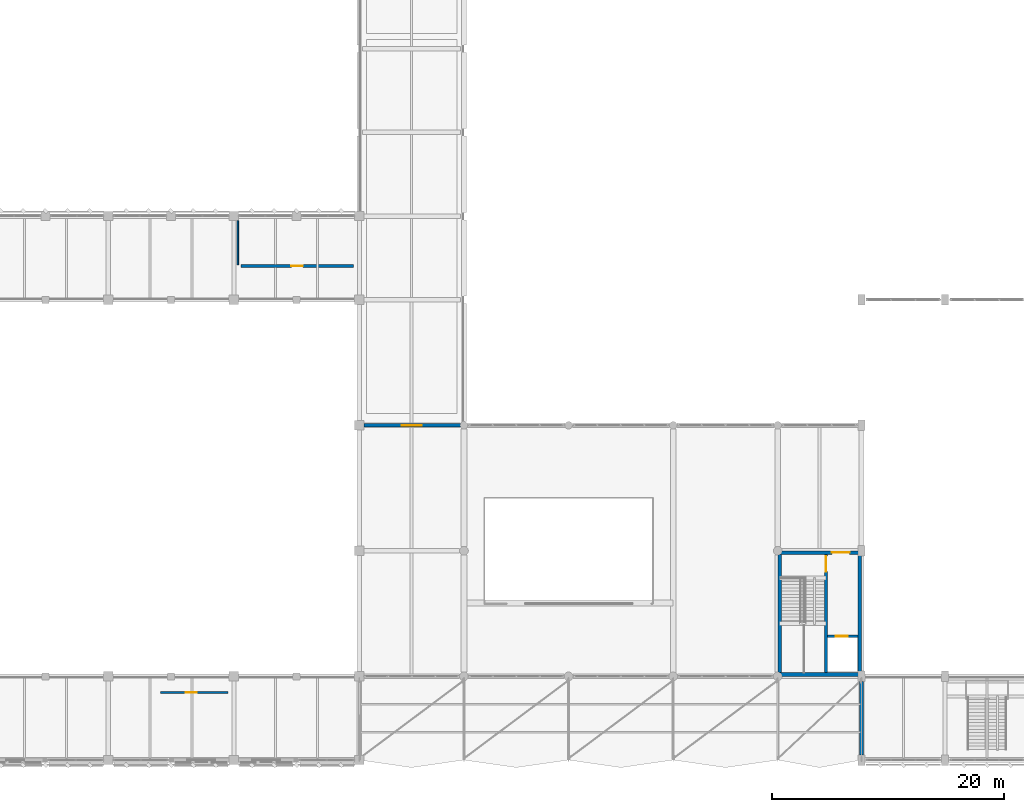
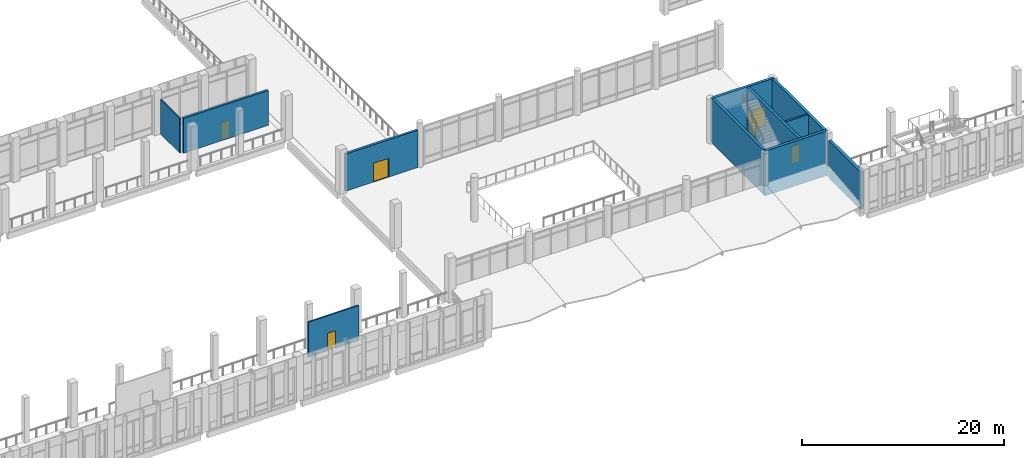
# One storey, part 157 of 180: 11 walls, 6 doors, 6 openings.
"""IFC4 building model written with IfcOpenShell, lengths in metres."""

from ifc_helpers import new_model, si_unit, direction, frame, frame_2d, origin, place, context, subcontext, project, spatial, rectangle, extrude, material, layer, layer_set, type_object, element, fill, save


model = new_model("IFC4")

# Units and contexts
model_context = context("Model", 3, precision=1e-05, world=origin(), true_north=direction((0.0, 1.0)))
body_context = subcontext(model_context, "Body", "Model", "MODEL_VIEW")
ifc_project = project(units=[si_unit("LENGTHUNIT", "METRE"), si_unit("AREAUNIT", "SQUARE_METRE"), si_unit("VOLUMEUNIT", "CUBIC_METRE"), si_unit("PLANEANGLEUNIT", "RADIAN"), si_unit("MASSUNIT", "GRAM", prefix="KILO")], contexts=[model_context])

# Site, building, storey
site_placement = place(None, origin())
site = spatial("IfcSite", under=ifc_project, at=site_placement, CompositionType="ELEMENT")
building_placement = place(site_placement, origin())
building = spatial("IfcBuilding", under=site, at=building_placement, Name="Lusvemor Sports Hall", CompositionType="ELEMENT")
storey_placement = place(building_placement, frame((0.0, 0.0, 5.39990234375)))
storey = spatial("IfcBuildingStorey", under=building, at=storey_placement, Name="L01", CompositionType="ELEMENT", Elevation=5.39990234375)

# Wall, opening, door
ifc_material_1 = material(Name="Precast granite-faced Concrete C40/50 architectural cladding", Category="masonry")
ifc_layer_1 = layer(ifc_material_1, 0.27001953125)
ifc_layer_set_1 = layer_set([ifc_layer_1], Name="Precast granite-faced Concrete C40/50 architectural cladding")
wall_type_1 = type_object("IfcWallType", Name="EW_FOYER_270", PredefinedType="STANDARD", material=ifc_layer_set_1)
wall_1_placement = place(storey_placement, frame((75.99609375, 28.800048828125, 0.0), z_axis=(0.0, 0.0, 1.0), x_axis=(1.0, 0.0, 0.0)))
wall_1 = element("IfcWall", 1, at=wall_1_placement, inside=storey, type_object=wall_type_1, Name="Exterior Wall EW-V4N-PROM-L01", PredefinedType="STANDARD", context=body_context, shape_type="SweptSolid", body=[
    extrude(rectangle(XDim=8.293212890625, YDim=0.27001953125, at=frame_2d((4.146484375, 0.0))), origin(), (0.0, 0.0, 1.0), 4.505126953125),
])
opening_1_placement = place(wall_1_placement, frame((3.243896484375, 0.0, 0.0)))
opening_1 = element("IfcOpeningElement", 2, at=opening_1_placement, cuts=wall_1, Name="Opening ED13", PredefinedType="OPENING", context=body_context, shape_type="SweptSolid", body=[
    extrude(rectangle(XDim=1.719970703125, YDim=2.280029296875, at=frame_2d((0.85986328125, 1.14013671875))), frame((0.0, 0.135009765625, 0.0), z_axis=(0.0, -1.0, 0.0), x_axis=(1.0, 0.0, 0.0)), (0.0, 0.0, 1.0), 0.27001953125),
])
ifc_material_2 = material(Name="Thermally broken bronze-anodized aluminium", Category="aluminium")
door_type_1 = type_object("IfcDoorType", Name="EDR_PROM_172x228", OperationType="NOTDEFINED", PredefinedType="DOOR", material=ifc_material_2)
door_1_placement = place(opening_1_placement, origin())
door_1 = element("IfcDoor", 3, at=door_1_placement, inside=storey, type_object=door_type_1, Name="DR-021", OperationType="SINGLE_SWING_LEFT", OverallHeight=2.280029296875, OverallWidth=1.719970703125, PredefinedType="DOOR", context=body_context, shape_type="SweptSolid", body=[
    extrude(rectangle(XDim=1.719970703125, YDim=2.280029296875, at=frame_2d((0.85986328125, 1.14013671875))), frame((0.0, 0.02490234375, 0.0), z_axis=(0.0, -1.0, 0.0), x_axis=(1.0, 0.0, 0.0)), (0.0, 0.0, 1.0), 0.050048828125),
])
fill(opening_1, door_1)

# Wall
ifc_material_3 = material(Name="Warm terracotta Art Nouveau ceramic cladding on Concrete C40/50 backing", Category="masonry")
ifc_layer_2 = layer(ifc_material_3, 0.340087890625)
ifc_layer_set_2 = layer_set([ifc_layer_2], Name="Warm terracotta Art Nouveau ceramic cladding on Concrete C40/50 backing")
wall_type_2 = type_object("IfcWallType", Name="EW_TERR_CAV_340", PredefinedType="STANDARD", material=ifc_layer_set_2)
wall_2_placement = place(storey_placement, frame((118.800048828125, 0.43994140625, 0.0), z_axis=(0.0, 0.0, 1.0), x_axis=(0.0, 1.0, 0.0)))
element("IfcWall", 4, at=wall_2_placement, inside=storey, type_object=wall_type_2, Name="Exterior Wall EW-V2W-S0-L01", PredefinedType="STANDARD", context=body_context, shape_type="SweptSolid", body=[
    extrude(rectangle(XDim=6.320068359375, YDim=0.340087890625, at=frame_2d((3.16015625, 0.0))), origin(), (0.0, 0.0, 1.0), 4.51513671875),
])

# Wall, opening, door
ifc_material_4 = material(Name="Double-leaf acoustic gypsum board on metal studs")
ifc_layer_3 = layer(ifc_material_4, 0.179931640625)
ifc_layer_set_3 = layer_set([ifc_layer_3], Name="Double-leaf acoustic gypsum board on metal studs")
wall_type_3 = type_object("IfcWallType", Name="IW_ACOUST_184", PredefinedType="STANDARD", material=ifc_layer_set_3)
wall_3_placement = place(storey_placement, frame((58.5, 5.800048828125, 0.0), z_axis=(0.0, 0.0, 1.0), x_axis=(1.0, 0.0, 0.0)))
wall_3 = element("IfcWall", 5, at=wall_3_placement, inside=storey, type_object=wall_type_3, Name="Partition IW-L01-V1S-MED", PredefinedType="STANDARD", context=body_context, shape_type="SweptSolid", body=[
    extrude(rectangle(XDim=5.800048828125, YDim=0.179931640625, at=frame_2d((2.89990234375, 0.0))), origin(), (0.0, 0.0, 1.0), 4.22021484375),
])
opening_2_placement = place(wall_3_placement, frame((2.18701171875, 0.0, 0.0)))
opening_2 = element("IfcOpeningElement", 6, at=opening_2_placement, cuts=wall_3, Name="Opening ID19", PredefinedType="OPENING", context=body_context, shape_type="SweptSolid", body=[
    extrude(rectangle(XDim=0.93994140625, YDim=2.10009765625, at=frame_2d((0.469970703125, 1.050048828125))), frame((0.0, 0.08984375, 0.0), z_axis=(0.0, -1.0, 0.0), x_axis=(1.0, 0.0, 0.0)), (0.0, 0.0, 1.0), 0.179931640625),
])
ifc_material_5 = material(Name="Acoustic solid-core hardwood door leaf in steel frame", Category="steel")
door_type_2 = type_object("IfcDoorType", Name="IDR_MEDIA_094", OperationType="NOTDEFINED", PredefinedType="DOOR", material=ifc_material_5)
door_2_placement = place(opening_2_placement, origin())
door_2 = element("IfcDoor", 7, at=door_2_placement, inside=storey, type_object=door_type_2, Name="DR-170", OperationType="SINGLE_SWING_RIGHT", OverallHeight=2.10009765625, OverallWidth=0.93994140625, PredefinedType="DOOR", context=body_context, shape_type="SweptSolid", body=[
    extrude(rectangle(XDim=0.93994140625, YDim=2.10009765625, at=frame_2d((0.469970703125, 1.050048828125))), frame((0.0, 0.02490234375, 0.0), z_axis=(0.0, -1.0, 0.0), x_axis=(1.0, 0.0, 0.0)), (0.0, 0.0, 1.0), 0.050048828125),
])
fill(opening_2, door_2)

# Wall
ifc_material_6 = material(Name="Double-leaf acoustic gypsum board on metal studs")
ifc_layer_4 = layer(ifc_material_6, 0.1201171875)
ifc_layer_set_4 = layer_set([ifc_layer_4], Name="Double-leaf acoustic gypsum board on metal studs")
wall_type_4 = type_object("IfcWallType", Name="IW_PART_124", PredefinedType="STANDARD", material=ifc_layer_set_4)
wall_4_placement = place(storey_placement, frame((65.14990234375, 42.60009765625, 0.0), z_axis=(0.0, 0.0, 1.0), x_axis=(0.0, 1.0, 0.0)))
element("IfcWall", 8, at=wall_4_placement, inside=storey, type_object=wall_type_4, Name="Partition IW-L01-V1NDIV-65", PredefinedType="STANDARD", context=body_context, shape_type="SweptSolid", body=[
    extrude(rectangle(XDim=3.7998046875, YDim=0.1201171875, at=frame_2d((1.89990234375, 0.0))), origin(), (0.0, 0.0, 1.0), 4.22021484375),
])

# Wall, opening, door
ifc_material_7 = material(Name="Concrete C40/50", Category="concrete")
ifc_layer_5 = layer(ifc_material_7, 0.2099609375)
ifc_layer_set_5 = layer_set([ifc_layer_5], Name="Concrete C40/50")
wall_type_5 = type_object("IfcWallType", Name="IW_SHFT_212", PredefinedType="STANDARD", material=ifc_layer_set_5)
wall_5_placement = place(storey_placement, frame((115.89990234375, 10.64990234375, 0.0), z_axis=(0.0, 0.0, 1.0), x_axis=(1.0, 0.0, 0.0)))
wall_5 = element("IfcWall", 9, at=wall_5_placement, inside=storey, type_object=wall_type_5, Name="Lift LP-04 Shaft Front Wall (L01)", PredefinedType="STANDARD", context=body_context, shape_type="SweptSolid", body=[
    extrude(rectangle(XDim=2.60009765625, YDim=0.2099609375, at=frame_2d((1.300048828125, 0.0))), origin(), (0.0, 0.0, 1.0), 5.400146484375),
])
opening_3_placement = place(wall_5_placement, frame((0.679931640625, 0.0, 0.0)))
opening_3 = element("IfcOpeningElement", 10, at=opening_3_placement, cuts=wall_5, Name="Opening LD-02", PredefinedType="OPENING", context=body_context, shape_type="SweptSolid", body=[
    extrude(rectangle(XDim=1.0400390625, YDim=2.159912109375, at=frame_2d((0.52001953125, 1.080078125))), frame((0.0, 0.10498046875, 0.0), z_axis=(0.0, -1.0, 0.0), x_axis=(1.0, 0.0, 0.0)), (0.0, 0.0, 1.0), 0.2099609375),
])
ifc_material_8 = material(Name="Brushed stainless-steel sliding lift landing door", Category="steel")
door_type_3 = type_object("IfcDoorType", Name="LIFT_DOOR_PAX_104", OperationType="NOTDEFINED", PredefinedType="DOOR", material=ifc_material_8)
door_3_placement = place(opening_3_placement, origin())
door_3 = element("IfcDoor", 11, at=door_3_placement, inside=storey, type_object=door_type_3, Name="DR-117", OperationType="SLIDING_TO_LEFT", OverallHeight=2.159912109375, OverallWidth=1.0400390625, PredefinedType="DOOR", context=body_context, shape_type="SweptSolid", body=[
    extrude(rectangle(XDim=1.0400390625, YDim=2.159912109375, at=frame_2d((0.52001953125, 1.080078125))), frame((0.0, 0.02490234375, 0.0), z_axis=(0.0, -1.0, 0.0), x_axis=(1.0, 0.0, 0.0)), (0.0, 0.0, 1.0), 0.050048828125),
])
fill(opening_3, door_3)

ifc_material_9 = material(Name="Moisture-resistant tiled plumbing service wall")
ifc_layer_6 = layer(ifc_material_9, 0.239990234375)
ifc_layer_set_6 = layer_set([ifc_layer_6], Name="Moisture-resistant tiled plumbing service wall")
wall_type_6 = type_object("IfcWallType", Name="PW_WET_176", PredefinedType="PLUMBINGWALL", material=ifc_layer_set_6)
wall_6_placement = place(storey_placement, frame((65.39990234375, 42.5, 0.0), z_axis=(0.0, 0.0, 1.0), x_axis=(1.0, 0.0, 0.0)))
wall_6 = element("IfcWall", 12, at=wall_6_placement, inside=storey, type_object=wall_type_6, Name="Partition IW-L01-V1N-AWCV1", PredefinedType="PLUMBINGWALL", context=body_context, shape_type="SweptSolid", body=[
    extrude(rectangle(XDim=9.7001953125, YDim=0.239990234375, at=frame_2d((4.85009765625, 0.0))), origin(), (0.0, 0.0, 1.0), 4.22021484375),
])
opening_4_placement = place(wall_6_placement, frame((4.35009765625, 0.0, 0.0)))
opening_4 = element("IfcOpeningElement", 13, at=opening_4_placement, cuts=wall_6, Name="Opening ID11", PredefinedType="OPENING", context=body_context, shape_type="SweptSolid", body=[
    extrude(rectangle(XDim=1.0, YDim=2.14990234375, at=frame_2d((0.5, 1.074951171875))), frame((0.0, 0.1201171875, 0.0), z_axis=(0.0, -1.0, 0.0), x_axis=(1.0, 0.0, 0.0)), (0.0, 0.0, 1.0), 0.239990234375),
])
ifc_material_10 = material(Name="Acoustic solid-core hardwood door leaf in steel frame", Category="steel")
door_type_4 = type_object("IfcDoorType", Name="IDR_AWC_100", OperationType="NOTDEFINED", PredefinedType="DOOR", material=ifc_material_10)
door_4_placement = place(opening_4_placement, origin())
door_4 = element("IfcDoor", 14, at=door_4_placement, inside=storey, type_object=door_type_4, Name="DR-174", OperationType="SINGLE_SWING_RIGHT", OverallHeight=2.14990234375, OverallWidth=1.0, PredefinedType="DOOR", context=body_context, shape_type="SweptSolid", body=[
    extrude(rectangle(XDim=1.0, YDim=2.14990234375, at=frame_2d((0.5, 1.074951171875))), frame((0.0, 0.02490234375, 0.0), z_axis=(0.0, -1.0, 0.0), x_axis=(1.0, 0.0, 0.0)), (0.0, 0.0, 1.0), 0.050048828125),
])
fill(opening_4, door_4)

ifc_material_11 = material(Name="Concrete C40/50", Category="concrete")
ifc_layer_7 = layer(ifc_material_11, 0.300048828125)
ifc_layer_set_7 = layer_set([ifc_layer_7], Name="Concrete C40/50")
wall_type_7 = type_object("IfcWallType", Name="WALL_CORE_300_INT", PredefinedType="SHEAR", material=ifc_layer_set_7)
wall_7_placement = place(storey_placement, frame((111.60009765625, 17.85009765625, 0.0), z_axis=(0.0, 0.0, 1.0), x_axis=(1.0, 0.0, 0.0)))
wall_7 = element("IfcWall", 15, at=wall_7_placement, inside=storey, type_object=wall_type_7, Name="Core C7 Central Foyer Shear Wall N (L01)", PredefinedType="SHEAR", context=body_context, shape_type="SweptSolid", body=[
    extrude(rectangle(XDim=7.199951171875, YDim=0.300048828125, at=frame_2d((3.60009765625, 0.0))), origin(), (0.0, 0.0, 1.0), 5.400146484375),
])
opening_5_placement = place(wall_7_placement, frame((4.64990234375, 0.0, 0.0)))
opening_5 = element("IfcOpeningElement", 16, at=opening_5_placement, cuts=wall_7, Name="Opening DR-FD60-01", PredefinedType="OPENING", context=body_context, shape_type="SweptSolid", body=[
    extrude(rectangle(XDim=1.5400390625, YDim=2.219970703125, at=frame_2d((0.77001953125, 1.10986328125))), frame((0.0, 0.14990234375, 0.0), z_axis=(0.0, -1.0, 0.0), x_axis=(1.0, 0.0, 0.0)), (0.0, 0.0, 1.0), 0.300048828125),
])
ifc_material_12 = material(Name="Fire-rated insulated painted steel door assembly", Category="steel")
door_type_5 = type_object("IfcDoorType", Name="IDR_LOBBY_FD60_154", OperationType="NOTDEFINED", PredefinedType="DOOR", material=ifc_material_12)
door_5_placement = place(opening_5_placement, origin())
door_5 = element("IfcDoor", 17, at=door_5_placement, inside=storey, type_object=door_type_5, Name="DR-122", OperationType="SINGLE_SWING_LEFT", OverallHeight=2.219970703125, OverallWidth=1.5400390625, PredefinedType="DOOR", context=body_context, shape_type="SweptSolid", body=[
    extrude(rectangle(XDim=1.5400390625, YDim=2.219970703125, at=frame_2d((0.77001953125, 1.10986328125))), frame((0.0, 0.02490234375, 0.0), z_axis=(0.0, -1.0, 0.0), x_axis=(1.0, 0.0, 0.0)), (0.0, 0.0, 1.0), 0.050048828125),
])
fill(opening_5, door_5)

# Walls
for number, where, z_axis, x_axis, name in (
    (18, (111.75, 7.5, 0.0), (0.0, 0.0, 1.0), (0.0, 1.0, 0.0), "Core C7 Central Foyer Shear Wall W (L01)"),
    (19, (118.64990234375, 17.699951171875, 0.0), (0.0, 0.0, 1.0), (0.0, -1.0, 0.0), "Core C7 Central Foyer Shear Wall E (L01)"),
):
    element("IfcWall", number, at=place(storey_placement, frame(where, z_axis=z_axis, x_axis=x_axis)), inside=storey, type_object=wall_type_7, Name=name, PredefinedType="SHEAR", context=body_context, shape_type="SweptSolid", body=[
        extrude(rectangle(XDim=10.199951171875, YDim=0.300048828125, at=frame_2d((5.10009765625, 0.0))), origin(), (0.0, 0.0, 1.0), 5.400146484375),
    ])

# Wall, opening, door
wall_8_placement = place(storey_placement, frame((115.75, 7.5, 0.0), z_axis=(0.0, 0.0, 1.0), x_axis=(0.0, 1.0, 0.0)))
wall_8 = element("IfcWall", 20, at=wall_8_placement, inside=storey, type_object=wall_type_7, Name="Core C7 Central Foyer Shear Wall M (L01)", PredefinedType="SHEAR", context=body_context, shape_type="SweptSolid", body=[
    extrude(rectangle(XDim=10.199951171875, YDim=0.300048828125, at=frame_2d((5.10009765625, 0.0))), origin(), (0.0, 0.0, 1.0), 5.400146484375),
])
opening_6_placement = place(wall_8_placement, frame((8.7099609375, 0.0, 0.0)))
opening_6 = element("IfcOpeningElement", 21, at=opening_6_placement, cuts=wall_8, Name="Opening DR-FD90-02", PredefinedType="OPENING", context=body_context, shape_type="SweptSolid", body=[
    extrude(rectangle(XDim=1.340087890625, YDim=2.179931640625, at=frame_2d((0.669921875, 1.08984375))), frame((0.0, 0.14990234375, 0.0), z_axis=(0.0, -1.0, 0.0), x_axis=(1.0, 0.0, 0.0)), (0.0, 0.0, 1.0), 0.300048828125),
])
ifc_material_13 = material(Name="Fire-rated insulated painted steel door assembly", Category="steel")
door_type_6 = type_object("IfcDoorType", Name="IDR_STAIR_FD90_134", OperationType="NOTDEFINED", PredefinedType="DOOR", material=ifc_material_13)
door_6_placement = place(opening_6_placement, origin())
door_6 = element("IfcDoor", 22, at=door_6_placement, inside=storey, type_object=door_type_6, Name="DR-121", OperationType="SINGLE_SWING_RIGHT", OverallHeight=2.179931640625, OverallWidth=1.340087890625, PredefinedType="DOOR", context=body_context, shape_type="SweptSolid", body=[
    extrude(rectangle(XDim=1.340087890625, YDim=2.179931640625, at=frame_2d((0.669921875, 1.08984375))), frame((0.0, 0.02490234375, 0.0), z_axis=(0.0, -1.0, 0.0), x_axis=(1.0, 0.0, 0.0)), (0.0, 0.0, 1.0), 0.050048828125),
])
fill(opening_6, door_6)

# Wall
ifc_material_14 = material(Name="Concrete C40/50", Category="concrete")
ifc_layer_8 = layer(ifc_material_14, 0.324951171875)
ifc_layer_set_8 = layer_set([ifc_layer_8], Name="Concrete C40/50")
wall_type_8 = type_object("IfcWallType", Name="WALL_CORE_325_EXT", PredefinedType="SHEAR", material=ifc_layer_set_8)
wall_9_placement = place(storey_placement, frame((118.800048828125, 7.35009765625, 0.0), z_axis=(0.0, 0.0, 1.0), x_axis=(-1.0, 0.0, 0.0)))
element("IfcWall", 23, at=wall_9_placement, inside=storey, type_object=wall_type_8, Name="Core C7 Central Foyer Shear Wall S (L01)", PredefinedType="SHEAR", context=body_context, shape_type="SweptSolid", body=[
    extrude(rectangle(XDim=7.199951171875, YDim=0.324951171875, at=frame_2d((3.60009765625, 0.0))), origin(), (0.0, 0.0, 1.0), 5.400146484375),
])

save(model, "model.ifc")
